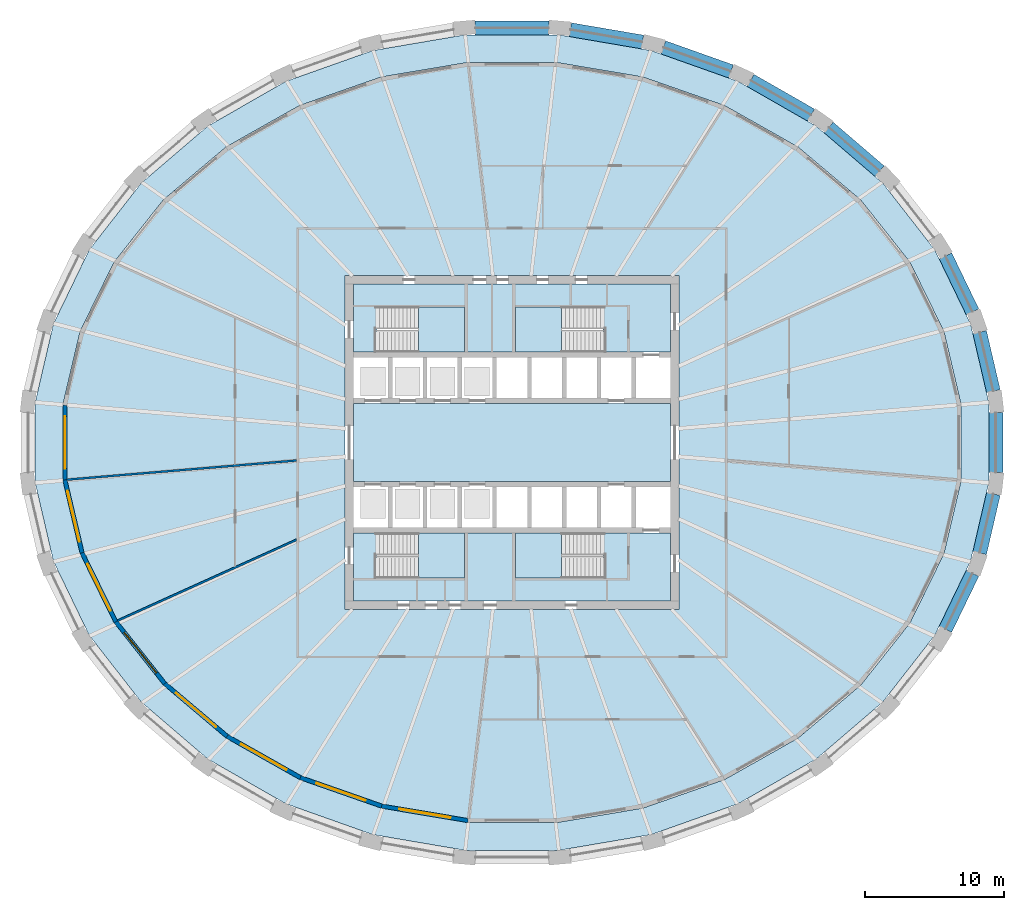
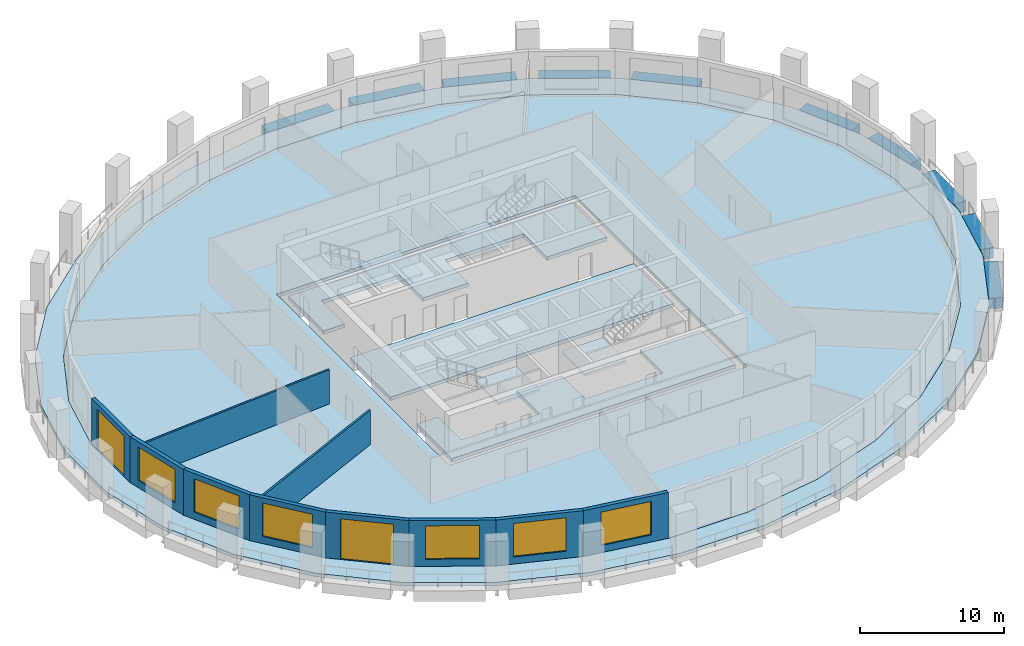
# One storey, part 2 of 10: 10 beams, 10 walls, 9 slabs, 6 windows, 2 doors, 8 openings, 4 elements without a shape of their own.
"""IFC4 building model written with IfcOpenShell, lengths in metres."""

from ifc_helpers import new_model, si_unit, direction, frame, frame_2d, origin, origin_2d, place, context, subcontext, project, spatial, polyline, rectangle, outline, extrude, material, layer, layer_set, material_profile, profile_set, type_object, element, fill, aggregate, save


model = new_model("IFC4")

# Units and contexts
model_context = context("Model", 3, precision=1e-05, world=origin(), true_north=direction((0.0, 1.0)))
body_context = subcontext(model_context, "Body", "Model", "MODEL_VIEW")
ifc_project = project(units=[si_unit("LENGTHUNIT", "METRE"), si_unit("AREAUNIT", "SQUARE_METRE"), si_unit("VOLUMEUNIT", "CUBIC_METRE"), si_unit("PLANEANGLEUNIT", "RADIAN"), si_unit("MASSUNIT", "GRAM", prefix="KILO")], contexts=[model_context])

# Site, building, storey
site_placement = place(None, origin())
site = spatial("IfcSite", under=ifc_project, at=site_placement, CompositionType="ELEMENT")
building_placement = place(site_placement, origin())
building = spatial("IfcBuilding", under=site, at=building_placement, Name="Halqa Exchange Tower", CompositionType="ELEMENT")
storey_placement = place(building_placement, frame((0.0, 0.0, 121.300048828125)))
storey = spatial("IfcBuildingStorey", under=building, at=storey_placement, Name="L27", CompositionType="ELEMENT", Elevation=121.300048828125)

# Beams
ifc_material_1 = material(Name="Concrete C60/75", Category="concrete")
ifc_material_profile = material_profile(ifc_material_1, rectangle(XDim=1.0, YDim=0.89990234375, at=origin_2d()), Name="1000 x 900")
ifc_profile_set = profile_set([ifc_material_profile], Name="Concrete C60/75")
beam_type = type_object("IfcBeamType", Name="RC spandrel beam 1000 x 900 C60/75", PredefinedType="SPANDREL", material=ifc_profile_set)
beam_1_placement = place(storey_placement, frame((34.603515625, 3.693115234375, -0.449951171875), z_axis=(-0.226066118641, 0.974111959686, 0.0), x_axis=(-0.974111959686, -0.226066118641, 0.0)))
element("IfcBeam", 1, at=beam_1_placement, inside=storey, type_object=beam_type, Name="Spandrel 1", PredefinedType="SPANDREL", context=body_context, shape_type="SweptSolid", body=[
    extrude(rectangle(XDim=1.0, YDim=0.89990234375, at=origin_2d()), origin(), (0.0, 0.0, 1.0), 4.358642578125),
])
beam_2_placement = place(storey_placement, frame((33.104248046875, 9.3955078125, -0.449951171875), z_axis=(-0.435117021664, 0.900373909805, 0.0), x_axis=(-0.900373909805, -0.435117021664, 0.0)))
element("IfcBeam", 2, at=beam_2_placement, inside=storey, type_object=beam_type, Name="Spandrel 2", PredefinedType="SPANDREL", context=body_context, shape_type="SweptSolid", body=[
    extrude(rectangle(XDim=1.0, YDim=0.89990234375, at=origin_2d()), origin(), (0.0, 0.0, 1.0), 4.471435546875),
])
beam_3_placement = place(storey_placement, frame((26.426513671875, 19.507568359375, -0.449951171875), z_axis=(-0.759285146525, 0.650758070459, 0.0), x_axis=(-0.650758070459, -0.759285146525, 0.0)))
element("IfcBeam", 3, at=beam_3_placement, inside=storey, type_object=beam_type, Name="Spandrel 4", PredefinedType="SPANDREL", context=body_context, shape_type="SweptSolid", body=[
    extrude(rectangle(XDim=1.0, YDim=0.89990234375, at=origin_2d()), origin(), (0.0, 0.0, 1.0), 4.829833984375),
])
beam_4_placement = place(storey_placement, frame((21.498291015625, 23.540283203125, -0.449951171875), z_axis=(-0.867751350461, 0.496998585283, 0.0), x_axis=(-0.496998585283, -0.867751350461, 0.0)))
element("IfcBeam", 4, at=beam_4_placement, inside=storey, type_object=beam_type, Name="Spandrel 5", PredefinedType="SPANDREL", context=body_context, shape_type="SweptSolid", body=[
    extrude(rectangle(XDim=1.0, YDim=0.89990234375, at=origin_2d()), origin(), (0.0, 0.0, 1.0), 5.014404296875),
])
beam_5_placement = place(storey_placement, frame((15.744140625, 26.677001953125, -0.449951171875), z_axis=(-0.942360462003, 0.334599401754, 0.0), x_axis=(-0.334599401754, -0.942360462003, 0.0)))
element("IfcBeam", 5, at=beam_5_placement, inside=storey, type_object=beam_type, Name="Spandrel 6", PredefinedType="SPANDREL", context=body_context, shape_type="SweptSolid", body=[
    extrude(rectangle(XDim=1.0, YDim=0.89990234375, at=origin_2d()), origin(), (0.0, 0.0, 1.0), 5.166015625),
])
beam_6_placement = place(storey_placement, frame((9.38037109375, 28.79541015625, -0.449951171875), z_axis=(-0.985775606533, 0.168066812797, 0.0), x_axis=(-0.168066812797, -0.985775606533, 0.0)))
element("IfcBeam", 6, at=beam_6_placement, inside=storey, type_object=beam_type, Name="Spandrel 7", PredefinedType="SPANDREL", context=body_context, shape_type="SweptSolid", body=[
    extrude(rectangle(XDim=1.0, YDim=0.89990234375, at=origin_2d()), origin(), (0.0, 0.0, 1.0), 5.265869140625),
])
beam_7_placement = place(storey_placement, frame((2.650634765625, 29.810791015625, -0.449951171875), z_axis=(-1.0, 0.0, 0.0), x_axis=(0.0, -1.0, 0.0)))
element("IfcBeam", 7, at=beam_7_placement, inside=storey, type_object=beam_type, Name="Spandrel 8", PredefinedType="SPANDREL", context=body_context, shape_type="SweptSolid", body=[
    extrude(rectangle(XDim=1.0, YDim=0.89990234375, at=origin_2d()), origin(), (0.0, 0.0, 1.0), 5.30126953125),
])
beam_8_placement = place(storey_placement, frame((31.15869140625, -13.42138671875, -0.449951171875), z_axis=(0.435117021664, 0.900373909805, 0.0), x_axis=(-0.900373909805, 0.435117021664, 0.0)))
element("IfcBeam", 8, at=beam_8_placement, inside=storey, type_object=beam_type, Name="Spandrel 30", PredefinedType="SPANDREL", context=body_context, shape_type="SweptSolid", body=[
    extrude(rectangle(XDim=1.0, YDim=0.89990234375, at=origin_2d()), origin(), (0.0, 0.0, 1.0), 4.471435546875),
])
beam_9_placement = place(storey_placement, frame((33.6181640625, -7.93896484375, -0.449951171875), z_axis=(0.226066118641, 0.974111959686, 0.0), x_axis=(-0.974111959686, 0.226066118641, 0.0)))
element("IfcBeam", 9, at=beam_9_placement, inside=storey, type_object=beam_type, Name="Spandrel 31", PredefinedType="SPANDREL", context=body_context, shape_type="SweptSolid", body=[
    extrude(rectangle(XDim=1.0, YDim=0.89990234375, at=origin_2d()), origin(), (0.0, 0.0, 1.0), 4.358642578125),
])
beam_10_placement = place(storey_placement, frame((34.779052734375, -2.15869140625, -0.449951171875), z_axis=(0.0, 1.0, 0.0), x_axis=(-1.0, 0.0, 0.0)))
element("IfcBeam", 10, at=beam_10_placement, inside=storey, type_object=beam_type, Name="Spandrel 32", PredefinedType="SPANDREL", context=body_context, shape_type="SweptSolid", body=[
    extrude(rectangle(XDim=1.0, YDim=0.89990234375, at=origin_2d()), origin(), (0.0, 0.0, 1.0), 4.3173828125),
])

# Slabs
ifc_layer_1 = layer(ifc_material_1, 0.300048828125)
ifc_layer_set_1 = layer_set([ifc_layer_1], Name="Concrete C60/75")
slab_type_1 = type_object("IfcSlabType", Name="Core floor slab 300", PredefinedType="FLOOR", material=ifc_layer_set_1)
slab_1_placement = place(storey_placement, frame((0.0, 0.0, -0.300048828125)))
element("IfcSlab", 11, at=slab_1_placement, inside=storey, type_object=slab_type_1, Name="Core floor slab", PredefinedType="FLOOR", context=body_context, shape_type="SweptSolid", body=[
    extrude(outline(polyline([(-11.39990234375, 2.800048828125), (11.39990234375, 2.800048828125), (11.39990234375, -2.800048828125), (-11.39990234375, -2.800048828125), (-11.39990234375, 2.800048828125)])), origin(), (0.0, 0.0, 1.0), 0.300048828125),
])
slab_2_placement = place(storey_placement, frame((0.0, 0.0, -0.300048828125)))
element("IfcSlab", 12, at=slab_2_placement, inside=storey, type_object=slab_type_1, Name="Core floor slab", PredefinedType="FLOOR", context=body_context, shape_type="SweptSolid", body=[
    extrude(outline(polyline([(-11.39990234375, 11.39990234375), (11.39990234375, 11.39990234375), (11.39990234375, 6.5), (6.550048828125, 6.5), (6.550048828125, 9.75), (0.25, 9.75), (0.25, 6.5), (-3.39990234375, 6.5), (-3.39990234375, 9.75), (-9.699951171875, 9.75), (-9.699951171875, 6.5), (-11.39990234375, 6.5), (-11.39990234375, 11.39990234375)])), origin(), (0.0, 0.0, 1.0), 0.300048828125),
])
slab_3_placement = place(storey_placement, frame((0.0, 0.0, -0.300048828125)))
element("IfcSlab", 13, at=slab_3_placement, inside=storey, type_object=slab_type_1, Name="Core floor slab", PredefinedType="FLOOR", context=body_context, shape_type="SweptSolid", body=[
    extrude(outline(polyline([(-9.699951171875, -9.75), (-3.39990234375, -9.75), (-3.39990234375, -6.5), (0.25, -6.5), (0.25, -9.75), (6.550048828125, -9.75), (6.550048828125, -6.5), (11.39990234375, -6.5), (11.39990234375, -11.39990234375), (-11.39990234375, -11.39990234375), (-11.39990234375, -6.5), (-9.699951171875, -6.5), (-9.699951171875, -9.75)])), origin(), (0.0, 0.0, 1.0), 0.300048828125),
])
ifc_material_2 = material(Name="Concrete C40/50", Category="concrete")
ifc_layer_2 = layer(ifc_material_2, 0.300048828125)
ifc_layer_set_2 = layer_set([ifc_layer_2], Name="Concrete C40/50")
slab_type_2 = type_object("IfcSlabType", Name="RC floor slab 300", PredefinedType="FLOOR", material=ifc_layer_set_2)
slab_4_placement = place(storey_placement, frame((0.0, 0.0, -0.300048828125)))
element("IfcSlab", 14, at=slab_4_placement, inside=storey, type_object=slab_type_2, Name="Floor slab", PredefinedType="FLOOR", context=body_context, shape_type="SweptSolid", body=[
    extrude(outline(polyline([(32.29248046875, 2.6962890625), (31.04736328125, 7.984375), (28.606689453125, 12.961669921875), (25.06689453125, 17.4365234375), (20.566162109375, 21.23828125), (15.2783203125, 24.222900390625), (9.40673828125, 26.277099609375), (3.176025390625, 27.32421875), (-3.176025390625, 27.32421875), (-9.40673828125, 26.277099609375), (-15.2783203125, 24.222900390625), (-20.566162109375, 21.23828125), (-25.06689453125, 17.4365234375), (-28.606689453125, 12.961669921875), (-31.04736328125, 7.984375), (-32.29248046875, 2.6962890625), (-32.29248046875, -2.6962890625), (-31.04736328125, -7.984375), (-28.606689453125, -12.961669921875), (-25.06689453125, -17.4365234375), (-20.566162109375, -21.23828125), (-15.2783203125, -24.222900390625), (-9.40673828125, -26.277099609375), (-3.176025390625, -27.32421875), (3.176025390625, -27.32421875), (9.40673828125, -26.277099609375), (15.2783203125, -24.222900390625), (20.566162109375, -21.23828125), (25.06689453125, -17.4365234375), (28.606689453125, -12.961669921875), (31.04736328125, -7.984375), (32.29248046875, -2.6962890625), (32.29248046875, 2.6962890625)]), holes=[polyline([(-12.0, -12.0), (12.0, -12.0), (12.0, 12.0), (-12.0, 12.0), (-12.0, -12.0)])]), origin(), (0.0, 0.0, 1.0), 0.300048828125),
])
ifc_layer_3 = layer(ifc_material_2, 0.300048828125)
ifc_layer_set_3 = layer_set([ifc_layer_3], Name="Concrete C40/50")
slab_type_3 = type_object("IfcSlabType", Name="RC loggia slab 300", PredefinedType="FLOOR", material=ifc_layer_set_3)
slab_5_placement = place(storey_placement, frame((0.0, 0.0, -0.300048828125)))
element("IfcSlab", 15, at=slab_5_placement, inside=storey, type_object=slab_type_3, Name="Loggia slab", PredefinedType="FLOOR", context=body_context, shape_type="SweptSolid", body=[
    extrude(outline(polyline([(34.279052734375, 2.87890625), (34.279052734375, -2.87890625), (32.968017578125, -8.528076171875), (30.393798828125, -13.855224609375), (26.651123046875, -18.65625), (21.880859375, -22.7451171875), (16.264404296875, -25.961669921875), (10.01806640625, -28.179443359375), (3.383056640625, -29.310791015625), (-3.383056640625, -29.310791015625), (-10.01806640625, -28.179443359375), (-16.264404296875, -25.961669921875), (-21.880859375, -22.7451171875), (-26.651123046875, -18.65625), (-30.393798828125, -13.855224609375), (-32.968017578125, -8.528076171875), (-34.279052734375, -2.87890625), (-34.279052734375, 2.87890625), (-32.968017578125, 8.528076171875), (-30.393798828125, 13.855224609375), (-26.651123046875, 18.65625), (-21.880859375, 22.7451171875), (-16.264404296875, 25.961669921875), (-10.01806640625, 28.179443359375), (-3.383056640625, 29.310791015625), (3.383056640625, 29.310791015625), (10.01806640625, 28.179443359375), (16.264404296875, 25.961669921875), (21.880859375, 22.7451171875), (26.651123046875, 18.65625), (30.393798828125, 13.855224609375), (32.968017578125, 8.528076171875), (34.279052734375, 2.87890625)]), holes=[polyline([(32.29248046875, 2.6962890625), (31.04736328125, 7.984375), (28.606689453125, 12.961669921875), (25.06689453125, 17.4365234375), (20.566162109375, 21.23828125), (15.2783203125, 24.222900390625), (9.40673828125, 26.277099609375), (3.176025390625, 27.32421875), (-3.176025390625, 27.32421875), (-9.40673828125, 26.277099609375), (-15.2783203125, 24.222900390625), (-20.566162109375, 21.23828125), (-25.06689453125, 17.4365234375), (-28.606689453125, 12.961669921875), (-31.04736328125, 7.984375), (-32.29248046875, 2.6962890625), (-32.29248046875, -2.6962890625), (-31.04736328125, -7.984375), (-28.606689453125, -12.961669921875), (-25.06689453125, -17.4365234375), (-20.566162109375, -21.23828125), (-15.2783203125, -24.222900390625), (-9.40673828125, -26.277099609375), (-3.176025390625, -27.32421875), (3.176025390625, -27.32421875), (9.40673828125, -26.277099609375), (15.2783203125, -24.222900390625), (20.566162109375, -21.23828125), (25.06689453125, -17.4365234375), (28.606689453125, -12.961669921875), (31.04736328125, -7.984375), (32.29248046875, -2.6962890625), (32.29248046875, 2.6962890625)])]), origin(), (0.0, 0.0, 1.0), 0.300048828125),
])

# Stair, slab
ifc_material_3 = material(Name="Concrete C30/37", Category="concrete")
stair_type = type_object("IfcStairType", Name="Exit stair 1500 wide", PredefinedType="HALF_TURN_STAIR", material=ifc_material_3)
stair_1_placement = place(storey_placement, origin())
stair_1 = element("IfcStair", 16, at=stair_1_placement, inside=storey, type_object=stair_type, Name="Exit stair ST1", PredefinedType="HALF_TURN_STAIR")
ifc_layer_4 = layer(ifc_material_3, 0.199951171875)
ifc_layer_set_4 = layer_set([ifc_layer_4], Name="Concrete C30/37")
slab_type_4 = type_object("IfcSlabType", Name="Stair landing 200 slab", PredefinedType="LANDING", material=ifc_layer_set_4)
slab_6_placement = place(storey_placement, frame((0.0, 0.0, 1.89990234375)))
slab_6 = element("IfcSlab", 17, at=slab_6_placement, type_object=slab_type_4, Name="ST1 landing 1", PredefinedType="LANDING", context=body_context, shape_type="SweptSolid", body=[
    extrude(outline(polyline([(-6.719970703125, 6.5), (-3.39990234375, 6.5), (-3.39990234375, 9.75), (-6.719970703125, 9.75), (-6.719970703125, 6.5)])), origin(), (0.0, 0.0, 1.0), 0.199951171875),
])
aggregate(stair_1, [slab_6])

stair_2_placement = place(storey_placement, origin())
stair_2 = element("IfcStair", 18, at=stair_2_placement, inside=storey, type_object=stair_type, Name="Exit stair ST2", PredefinedType="HALF_TURN_STAIR")
slab_7_placement = place(storey_placement, frame((0.0, 0.0, 1.89990234375)))
slab_7 = element("IfcSlab", 19, at=slab_7_placement, type_object=slab_type_4, Name="ST2 landing 1", PredefinedType="LANDING", context=body_context, shape_type="SweptSolid", body=[
    extrude(outline(polyline([(0.25, 6.5), (3.570068359375, 6.5), (3.570068359375, 9.75), (0.25, 9.75), (0.25, 6.5)])), origin(), (0.0, 0.0, 1.0), 0.199951171875),
])
aggregate(stair_2, [slab_7])

stair_3_placement = place(storey_placement, origin())
stair_3 = element("IfcStair", 20, at=stair_3_placement, inside=storey, type_object=stair_type, Name="Exit stair ST3", PredefinedType="HALF_TURN_STAIR")
slab_8_placement = place(storey_placement, frame((0.0, 0.0, 1.89990234375)))
slab_8 = element("IfcSlab", 21, at=slab_8_placement, type_object=slab_type_4, Name="ST3 landing 1", PredefinedType="LANDING", context=body_context, shape_type="SweptSolid", body=[
    extrude(outline(polyline([(-6.719970703125, -9.75), (-3.39990234375, -9.75), (-3.39990234375, -6.5), (-6.719970703125, -6.5), (-6.719970703125, -9.75)])), origin(), (0.0, 0.0, 1.0), 0.199951171875),
])
aggregate(stair_3, [slab_8])

stair_4_placement = place(storey_placement, origin())
stair_4 = element("IfcStair", 22, at=stair_4_placement, inside=storey, type_object=stair_type, Name="Exit stair ST4", PredefinedType="HALF_TURN_STAIR")
slab_9_placement = place(storey_placement, frame((0.0, 0.0, 1.89990234375)))
slab_9 = element("IfcSlab", 23, at=slab_9_placement, type_object=slab_type_4, Name="ST4 landing 1", PredefinedType="LANDING", context=body_context, shape_type="SweptSolid", body=[
    extrude(outline(polyline([(0.25, -9.75), (3.570068359375, -9.75), (3.570068359375, -6.5), (0.25, -6.5), (0.25, -9.75)])), origin(), (0.0, 0.0, 1.0), 0.199951171875),
])
aggregate(stair_4, [slab_9])

# Walls
ifc_material_4 = material(Name="Fire-rated gypsum board")
ifc_layer_5 = layer(ifc_material_4, 0.14990234375)
ifc_layer_set_5 = layer_set([ifc_layer_5], Name="Fire-rated gypsum board")
wall_type_1 = type_object("IfcWallType", Name="Fire partition EI 60 150", PredefinedType="PARTITIONING", material=ifc_layer_set_5)
wall_1_placement = place(storey_placement, frame((-31.986328125, -2.664794921875, 0.0), z_axis=(0.0, 0.0, 1.0), x_axis=(0.996533353756, 0.083194199634, 0.0)))
element("IfcWall", 24, at=wall_1_placement, inside=storey, type_object=wall_type_1, Name="L27-PWL-001", PredefinedType="PARTITIONING", context=body_context, shape_type="SweptSolid", body=[
    extrude(outline(polyline([(0.005615234375, -0.074951171875), (1.7294921875, -0.074951171875), (3.453125, -0.074951171875), (5.177001953125, -0.074951171875), (6.900634765625, -0.074951171875), (8.62451171875, -0.074951171875), (10.34814453125, -0.074951171875), (12.072021484375, -0.074951171875), (12.072021484375, -0.07470703125), (12.073974609375, -0.074951171875), (13.570068359375, -0.074951171875), (15.06640625, -0.074951171875), (16.5625, -0.074951171875), (16.574462890625, 0.068359375), (16.574462890625, 0.074951171875), (15.111328125, 0.074951171875), (13.64794921875, 0.074951171875), (12.184814453125, 0.074951171875), (12.184814453125, 0.073974609375), (12.171630859375, 0.074951171875), (10.432861328125, 0.074951171875), (8.694091796875, 0.074951171875), (6.955078125, 0.074951171875), (5.21630859375, 0.074951171875), (3.4775390625, 0.074951171875), (1.73876953125, 0.074951171875), (0.0, 0.074951171875), (0.0, -0.036376953125), (0.005615234375, -0.074951171875)])), origin(), (0.0, 0.0, 1.0), 2.909912109375),
])
wall_2_placement = place(storey_placement, frame((-28.352294921875, -12.804443359375, 0.0), z_axis=(0.0, 0.0, 1.0), x_axis=(0.911239169411, 0.41187762276, 0.0)))
element("IfcWall", 25, at=wall_2_placement, inside=storey, type_object=wall_type_1, Name="L27-PWL-003", PredefinedType="PARTITIONING", context=body_context, shape_type="SweptSolid", body=[
    extrude(outline(polyline([(0.021728515625, -0.074951171875), (1.78125, -0.074951171875), (3.540771484375, -0.074951171875), (5.30029296875, -0.074951171875), (7.059814453125, -0.074951171875), (8.8193359375, -0.074951171875), (10.578857421875, -0.074951171875), (12.338134765625, -0.074951171875), (14.09765625, -0.074951171875), (14.16552734375, 0.074951171875), (12.565185546875, 0.074951171875), (10.96484375, 0.074951171875), (9.3642578125, 0.074951171875), (9.364013671875, 0.07421875), (9.3623046875, 0.074951171875), (7.489990234375, 0.074951171875), (5.617431640625, 0.074951171875), (3.744873046875, 0.074951171875), (1.87255859375, 0.074951171875), (0.0, 0.074951171875), (0.0, 0.07421875), (0.002197265625, 0.003173828125), (0.021728515625, -0.074951171875)])), origin(), (0.0, 0.0, 1.0), 2.909912109375),
])

# Wall, opening, door
ifc_material_5 = material(Name="Limestone cladding", Category="masonry")
ifc_layer_6 = layer(ifc_material_5, 0.0400390625)
ifc_material_6 = material(Name="Ventilated cavity")
ifc_layer_7 = layer(ifc_material_6, 0.030029296875, ventilated=True)
ifc_material_7 = material(Name="Mineral wool insulation")
ifc_layer_8 = layer(ifc_material_7, 0.10009765625)
ifc_layer_9 = layer(ifc_material_3, 0.10009765625)
ifc_material_8 = material(Name="Internal plaster")
ifc_layer_10 = layer(ifc_material_8, 0.030029296875)
ifc_layer_set_6 = layer_set([ifc_layer_6, ifc_layer_7, ifc_layer_8, ifc_layer_9, ifc_layer_10], Name="Stone-faced insulated wall 300")
wall_type_2 = type_object("IfcWallType", Name="Stone-faced insulated wall 300", PredefinedType="STANDARD", material=ifc_layer_set_6)
wall_3_placement = place(storey_placement, frame((-32.142578125, 2.678955078125, 0.0), z_axis=(0.0, 0.0, 1.0), x_axis=(0.0, -1.0, 0.0)))
wall_3 = element("IfcWall", 26, at=wall_3_placement, inside=storey, type_object=wall_type_2, Name="Glass-line wall 16", PredefinedType="STANDARD", context=body_context, shape_type="SweptSolid", body=[
    extrude(outline(polyline([(-0.017333984375, -0.14990234375), (5.375244140625, -0.14990234375), (5.340576171875, 0.14990234375), (0.017333984375, 0.14990234375), (-0.017333984375, -0.14990234375)])), origin(), (0.0, 0.0, 1.0), 3.89990234375),
])
opening_1_placement = place(wall_3_placement, frame((0.803955078125, 0.0, 0.0)))
opening_1 = element("IfcOpeningElement", 27, at=opening_1_placement, cuts=wall_3, Name="Opening LG-F2-04", PredefinedType="OPENING", context=body_context, shape_type="SweptSolid", body=[
    extrude(rectangle(XDim=3.75, YDim=3.449951171875, at=frame_2d((1.875, 1.72509765625))), frame((0.0, 0.162109375, 0.0), z_axis=(0.0, -1.0, 0.0), x_axis=(1.0, 0.0, 0.0)), (0.0, 0.0, 1.0), 0.323974609375),
])
ifc_material_9 = material(Name="Clear low-emissivity glass in aluminium frame", Category="aluminium")
door_type = type_object("IfcDoorType", Name="Glazed sliding loggia door 3750 x 3450", OperationType="DOUBLE_DOOR_SLIDING", PredefinedType="DOOR", material=ifc_material_9)
door_1_placement = place(opening_1_placement, origin())
door_1 = element("IfcDoor", 28, at=door_1_placement, inside=storey, type_object=door_type, Name="Loggia door 4", OperationType="DOUBLE_DOOR_SLIDING", OverallHeight=3.449951171875, OverallWidth=3.75, PredefinedType="DOOR", context=body_context, shape_type="SweptSolid", body=[
    extrude(rectangle(XDim=3.75, YDim=3.449951171875, at=frame_2d((1.875, 1.72509765625))), frame((0.0, 0.02490234375, 0.0), z_axis=(0.0, -1.0, 0.0), x_axis=(1.0, 0.0, 0.0)), (0.0, 0.0, 1.0), 0.050048828125),
])
fill(opening_1, door_1)

# Wall, opening, window
wall_4_placement = place(storey_placement, frame((-32.142578125, -2.678955078125, 0.0), z_axis=(0.0, 0.0, 1.0), x_axis=(0.229200658045, -0.973379195561, 0.0)))
wall_4 = element("IfcWall", 29, at=wall_4_placement, inside=storey, type_object=wall_type_2, Name="Glass-line wall 17", PredefinedType="STANDARD", context=body_context, shape_type="SweptSolid", body=[
    extrude(outline(polyline([(-0.017333984375, -0.14990234375), (5.415283203125, -0.14990234375), (5.381591796875, 0.14990234375), (0.017333984375, 0.14990234375), (-0.017333984375, -0.14990234375)])), origin(), (0.0, 0.0, 1.0), 3.89990234375),
])
opening_2_placement = place(wall_4_placement, frame((0.82421875, 0.0, 0.60009765625)))
opening_2 = element("IfcOpeningElement", 30, at=opening_2_placement, cuts=wall_4, Name="Opening W-F2-17", PredefinedType="OPENING", context=body_context, shape_type="SweptSolid", body=[
    extrude(rectangle(XDim=3.75, YDim=2.85009765625, at=frame_2d((1.875, 1.425048828125))), frame((0.0, 0.162109375, 0.0), z_axis=(0.0, -1.0, 0.0), x_axis=(1.0, 0.0, 0.0)), (0.0, 0.0, 1.0), 0.323974609375),
])
window_type = type_object("IfcWindowType", Name="Fixed clear glazed window 3750 x 2850", PartitioningType="TRIPLE_PANEL_VERTICAL", PredefinedType="WINDOW", material=ifc_material_9)
window_1_placement = place(opening_2_placement, origin())
window_1 = element("IfcWindow", 31, at=window_1_placement, inside=storey, type_object=window_type, Name="Window 2", OverallHeight=2.85009765625, OverallWidth=3.75, PartitioningType="TRIPLE_PANEL_VERTICAL", PredefinedType="WINDOW", context=body_context, shape_type="SweptSolid", body=[
    extrude(rectangle(XDim=3.75, YDim=2.85009765625, at=frame_2d((1.875, 1.425048828125))), frame((0.0, 0.030029296875, 0.0), z_axis=(0.0, -1.0, 0.0), x_axis=(1.0, 0.0, 0.0)), (0.0, 0.0, 1.0), 0.06005859375),
])
fill(opening_2, window_1)

wall_5_placement = place(storey_placement, frame((-30.9052734375, -7.93359375, 0.0), z_axis=(0.0, 0.0, 1.0), x_axis=(0.440306401535, -0.897847577692, 0.0)))
wall_5 = element("IfcWall", 32, at=wall_5_placement, inside=storey, type_object=wall_type_2, Name="Glass-line wall 18", PredefinedType="STANDARD", context=body_context, shape_type="SweptSolid", body=[
    extrude(outline(polyline([(-0.016845703125, -0.14990234375), (5.526611328125, -0.14990234375), (5.494384765625, 0.14990234375), (0.016845703125, 0.14990234375), (-0.016845703125, -0.14990234375)])), origin(), (0.0, 0.0, 1.0), 3.89990234375),
])
opening_3_placement = place(wall_5_placement, frame((0.880126953125, 0.0, 0.60009765625)))
opening_3 = element("IfcOpeningElement", 33, at=opening_3_placement, cuts=wall_5, Name="Opening W-F2-18", PredefinedType="OPENING", context=body_context, shape_type="SweptSolid", body=[
    extrude(rectangle(XDim=3.75, YDim=2.85009765625, at=frame_2d((1.875, 1.425048828125))), frame((0.0, 0.162109375, 0.0), z_axis=(0.0, -1.0, 0.0), x_axis=(1.0, 0.0, 0.0)), (0.0, 0.0, 1.0), 0.323974609375),
])
window_2_placement = place(opening_3_placement, origin())
window_2 = element("IfcWindow", 34, at=window_2_placement, inside=storey, type_object=window_type, Name="Window 2", OverallHeight=2.85009765625, OverallWidth=3.75, PartitioningType="TRIPLE_PANEL_VERTICAL", PredefinedType="WINDOW", context=body_context, shape_type="SweptSolid", body=[
    extrude(rectangle(XDim=3.75, YDim=2.85009765625, at=frame_2d((1.875, 1.425048828125))), frame((0.0, 0.030029296875, 0.0), z_axis=(0.0, -1.0, 0.0), x_axis=(1.0, 0.0, 0.0)), (0.0, 0.0, 1.0), 0.06005859375),
])
fill(opening_3, window_2)

wall_6_placement = place(storey_placement, frame((-28.47900390625, -12.881103515625, 0.0), z_axis=(0.0, 0.0, 1.0), x_axis=(0.62038332391, -0.784298751379, 0.0)))
wall_6 = element("IfcWall", 35, at=wall_6_placement, inside=storey, type_object=wall_type_2, Name="Glass-line wall 19", PredefinedType="STANDARD", context=body_context, shape_type="SweptSolid", body=[
    extrude(outline(polyline([(-0.01611328125, -0.14990234375), (5.68994140625, -0.14990234375), (5.65966796875, 0.14990234375), (0.01611328125, 0.14990234375), (-0.01611328125, -0.14990234375)])), origin(), (0.0, 0.0, 1.0), 3.89990234375),
])
opening_4_placement = place(wall_6_placement, frame((0.96240234375, 0.0, 0.60009765625)))
opening_4 = element("IfcOpeningElement", 36, at=opening_4_placement, cuts=wall_6, Name="Opening W-F2-19", PredefinedType="OPENING", context=body_context, shape_type="SweptSolid", body=[
    extrude(rectangle(XDim=3.75, YDim=2.85009765625, at=frame_2d((1.875, 1.425048828125))), frame((0.0, 0.162109375, 0.0), z_axis=(0.0, -1.0, 0.0), x_axis=(1.0, 0.0, 0.0)), (0.0, 0.0, 1.0), 0.323974609375),
])
window_3_placement = place(opening_4_placement, origin())
window_3 = element("IfcWindow", 37, at=window_3_placement, inside=storey, type_object=window_type, Name="Window 2", OverallHeight=2.85009765625, OverallWidth=3.75, PartitioningType="TRIPLE_PANEL_VERTICAL", PredefinedType="WINDOW", context=body_context, shape_type="SweptSolid", body=[
    extrude(rectangle(XDim=3.75, YDim=2.85009765625, at=frame_2d((1.875, 1.425048828125))), frame((0.0, 0.030029296875, 0.0), z_axis=(0.0, -1.0, 0.0), x_axis=(1.0, 0.0, 0.0)), (0.0, 0.0, 1.0), 0.06005859375),
])
fill(opening_4, window_3)

# Wall, opening, door
wall_7_placement = place(storey_placement, frame((-24.95849609375, -17.331787109375, 0.0), z_axis=(0.0, 0.0, 1.0), x_axis=(0.763937302001, -0.645290476151, 0.0)))
wall_7 = element("IfcWall", 38, at=wall_7_placement, inside=storey, type_object=wall_type_2, Name="Glass-line wall 20", PredefinedType="STANDARD", context=body_context, shape_type="SweptSolid", body=[
    extrude(outline(polyline([(-0.01513671875, -0.14990234375), (5.87646484375, -0.14990234375), (5.84814453125, 0.14990234375), (0.01513671875, 0.14990234375), (-0.01513671875, -0.14990234375)])), origin(), (0.0, 0.0, 1.0), 3.89990234375),
])
opening_5_placement = place(wall_7_placement, frame((1.05615234375, 0.0, 0.0)))
opening_5 = element("IfcOpeningElement", 39, at=opening_5_placement, cuts=wall_7, Name="Opening LG-F2-05", PredefinedType="OPENING", context=body_context, shape_type="SweptSolid", body=[
    extrude(rectangle(XDim=3.75, YDim=3.449951171875, at=frame_2d((1.875, 1.72509765625))), frame((0.0, 0.162109375, 0.0), z_axis=(0.0, -1.0, 0.0), x_axis=(1.0, 0.0, 0.0)), (0.0, 0.0, 1.0), 0.323974609375),
])
door_2_placement = place(opening_5_placement, origin())
door_2 = element("IfcDoor", 40, at=door_2_placement, inside=storey, type_object=door_type, Name="Loggia door 5", OperationType="DOUBLE_DOOR_SLIDING", OverallHeight=3.449951171875, OverallWidth=3.75, PredefinedType="DOOR", context=body_context, shape_type="SweptSolid", body=[
    extrude(rectangle(XDim=3.75, YDim=3.449951171875, at=frame_2d((1.875, 1.72509765625))), frame((0.0, 0.02490234375, 0.0), z_axis=(0.0, -1.0, 0.0), x_axis=(1.0, 0.0, 0.0)), (0.0, 0.0, 1.0), 0.050048828125),
])
fill(opening_5, door_2)

# Wall, opening, window
wall_8_placement = place(storey_placement, frame((-20.47998046875, -21.11474609375, 0.0), z_axis=(0.0, 0.0, 1.0), x_axis=(0.870858332497, -0.491534093142, 0.0)))
wall_8 = element("IfcWall", 41, at=wall_8_placement, inside=storey, type_object=wall_type_2, Name="Glass-line wall 21", PredefinedType="STANDARD", context=body_context, shape_type="SweptSolid", body=[
    extrude(outline(polyline([(-0.01416015625, -0.14990234375), (6.0576171875, -0.14990234375), (6.03076171875, 0.14990234375), (0.01416015625, 0.14990234375), (-0.01416015625, -0.14990234375)])), origin(), (0.0, 0.0, 1.0), 3.89990234375),
])
opening_6_placement = place(wall_8_placement, frame((1.147216796875, 0.0, 0.60009765625)))
opening_6 = element("IfcOpeningElement", 42, at=opening_6_placement, cuts=wall_8, Name="Opening W-F2-21", PredefinedType="OPENING", context=body_context, shape_type="SweptSolid", body=[
    extrude(rectangle(XDim=3.75, YDim=2.85009765625, at=frame_2d((1.875, 1.425048828125))), frame((0.0, 0.162109375, 0.0), z_axis=(0.0, -1.0, 0.0), x_axis=(1.0, 0.0, 0.0)), (0.0, 0.0, 1.0), 0.323974609375),
])
window_4_placement = place(opening_6_placement, origin())
window_4 = element("IfcWindow", 43, at=window_4_placement, inside=storey, type_object=window_type, Name="Window 2", OverallHeight=2.85009765625, OverallWidth=3.75, PartitioningType="TRIPLE_PANEL_VERTICAL", PredefinedType="WINDOW", context=body_context, shape_type="SweptSolid", body=[
    extrude(rectangle(XDim=3.75, YDim=2.85009765625, at=frame_2d((1.875, 1.425048828125))), frame((0.0, 0.030029296875, 0.0), z_axis=(0.0, -1.0, 0.0), x_axis=(1.0, 0.0, 0.0)), (0.0, 0.0, 1.0), 0.06005859375),
])
fill(opening_6, window_4)

wall_9_placement = place(storey_placement, frame((-15.21630859375, -24.085693359375, 0.0), z_axis=(0.0, 0.0, 1.0), x_axis=(0.94389706045, -0.330239820849, 0.0)))
wall_9 = element("IfcWall", 44, at=wall_9_placement, inside=storey, type_object=wall_type_2, Name="Glass-line wall 22", PredefinedType="STANDARD", context=body_context, shape_type="SweptSolid", body=[
    extrude(outline(polyline([(-0.013427734375, -0.14990234375), (6.20703125, -0.14990234375), (6.181640625, 0.14990234375), (0.013427734375, 0.14990234375), (-0.013427734375, -0.14990234375)])), origin(), (0.0, 0.0, 1.0), 3.89990234375),
])
opening_7_placement = place(wall_9_placement, frame((1.22216796875, 0.0, 0.60009765625)))
opening_7 = element("IfcOpeningElement", 45, at=opening_7_placement, cuts=wall_9, Name="Opening W-F2-22", PredefinedType="OPENING", context=body_context, shape_type="SweptSolid", body=[
    extrude(rectangle(XDim=3.75, YDim=2.85009765625, at=frame_2d((1.875, 1.425048828125))), frame((0.0, 0.162109375, 0.0), z_axis=(0.0, -1.0, 0.0), x_axis=(1.0, 0.0, 0.0)), (0.0, 0.0, 1.0), 0.323974609375),
])
window_5_placement = place(opening_7_placement, origin())
window_5 = element("IfcWindow", 46, at=window_5_placement, inside=storey, type_object=window_type, Name="Window 2", OverallHeight=2.85009765625, OverallWidth=3.75, PartitioningType="TRIPLE_PANEL_VERTICAL", PredefinedType="WINDOW", context=body_context, shape_type="SweptSolid", body=[
    extrude(rectangle(XDim=3.75, YDim=2.85009765625, at=frame_2d((1.875, 1.425048828125))), frame((0.0, 0.030029296875, 0.0), z_axis=(0.0, -1.0, 0.0), x_axis=(1.0, 0.0, 0.0)), (0.0, 0.0, 1.0), 0.06005859375),
])
fill(opening_7, window_5)

wall_10_placement = place(storey_placement, frame((-9.369384765625, -26.13134765625, 0.0), z_axis=(0.0, 0.0, 1.0), x_axis=(0.986176011722, -0.165701158427, 0.0)))
wall_10 = element("IfcWall", 47, at=wall_10_placement, inside=storey, type_object=wall_type_2, Name="Glass-line wall 23", PredefinedType="STANDARD", context=body_context, shape_type="SweptSolid", body=[
    extrude(outline(polyline([(-0.0126953125, -0.14990234375), (6.30517578125, -0.14990234375), (6.2802734375, 0.14990234375), (0.0126953125, 0.14990234375), (-0.0126953125, -0.14990234375)])), origin(), (0.0, 0.0, 1.0), 3.89990234375),
])
opening_8_placement = place(wall_10_placement, frame((1.271484375, 0.0, 0.60009765625)))
opening_8 = element("IfcOpeningElement", 48, at=opening_8_placement, cuts=wall_10, Name="Opening W-F2-23", PredefinedType="OPENING", context=body_context, shape_type="SweptSolid", body=[
    extrude(rectangle(XDim=3.75, YDim=2.85009765625, at=frame_2d((1.875, 1.425048828125))), frame((0.0, 0.162109375, 0.0), z_axis=(0.0, -1.0, 0.0), x_axis=(1.0, 0.0, 0.0)), (0.0, 0.0, 1.0), 0.323974609375),
])
window_6_placement = place(opening_8_placement, origin())
window_6 = element("IfcWindow", 49, at=window_6_placement, inside=storey, type_object=window_type, Name="Window 2", OverallHeight=2.85009765625, OverallWidth=3.75, PartitioningType="TRIPLE_PANEL_VERTICAL", PredefinedType="WINDOW", context=body_context, shape_type="SweptSolid", body=[
    extrude(rectangle(XDim=3.75, YDim=2.85009765625, at=frame_2d((1.875, 1.425048828125))), frame((0.0, 0.030029296875, 0.0), z_axis=(0.0, -1.0, 0.0), x_axis=(1.0, 0.0, 0.0)), (0.0, 0.0, 1.0), 0.06005859375),
])
fill(opening_8, window_6)

save(model, "model.ifc")
